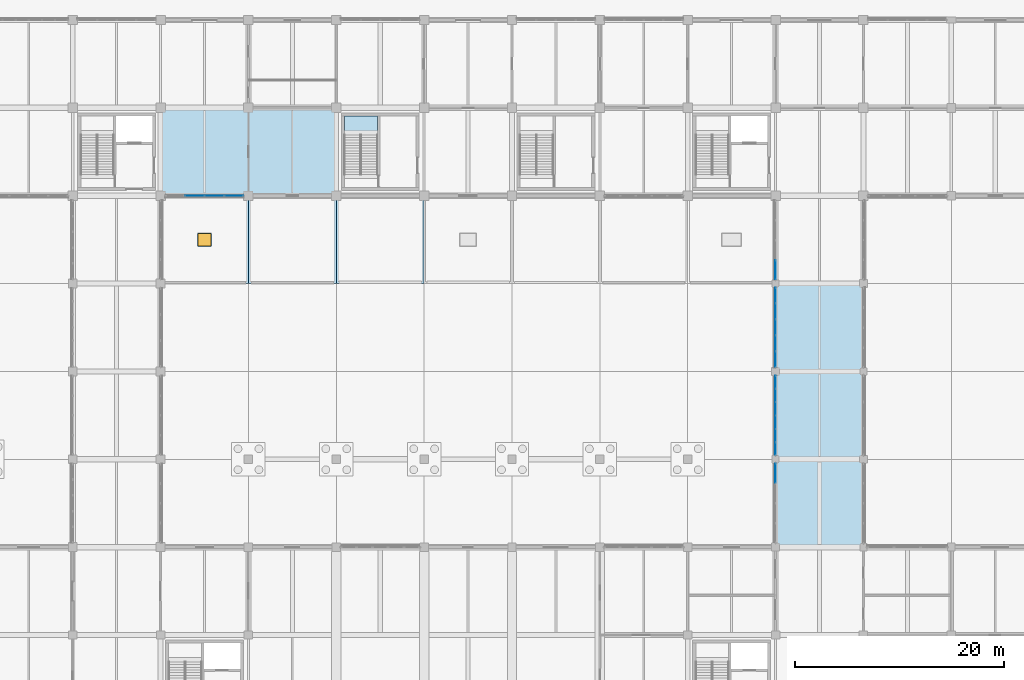
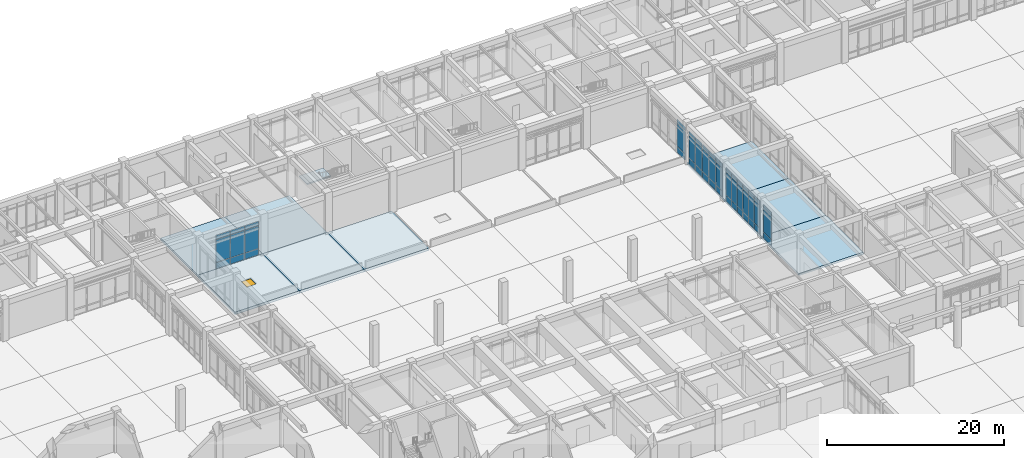
# One storey, part 57 of 91: 48 plates, 9 slabs, 1 window, 1 opening, 6 elements without a shape of their own.
"""IFC4 building model written with IfcOpenShell, lengths in metres."""

from ifc_helpers import new_model, si_unit, direction, frame, origin, origin_2d, place, context, subcontext, project, spatial, polyline, rectangle, outline, extrude, material, layer, layer_set, type_object, element, fill, aggregate, save


model = new_model("IFC4")

# Units and contexts
model_context = context("Model", 3, precision=1e-05, world=origin(), true_north=direction((0.0, 1.0)))
body_context = subcontext(model_context, "Body", "Model", "MODEL_VIEW")
ifc_project = project(units=[si_unit("LENGTHUNIT", "METRE"), si_unit("AREAUNIT", "SQUARE_METRE"), si_unit("VOLUMEUNIT", "CUBIC_METRE"), si_unit("PLANEANGLEUNIT", "RADIAN"), si_unit("MASSUNIT", "GRAM", prefix="KILO")], contexts=[model_context])

# Site, building, storey
site_placement = place(None, origin())
site = spatial("IfcSite", under=ifc_project, at=site_placement, CompositionType="ELEMENT")
building_placement = place(site_placement, origin())
building = spatial("IfcBuilding", under=site, at=building_placement, Name="Porcellanite Civic Hall", CompositionType="ELEMENT")
storey_placement = place(building_placement, origin())
storey = spatial("IfcBuildingStorey", under=building, at=storey_placement, Name="L00", CompositionType="ELEMENT", Elevation=0.0)

# Curtain wall, plates
ifc_material_1 = material(Name="Anodised aluminium and solar laminated glass", Category="aluminium")
ifc_layer_1 = layer(ifc_material_1, 0.179931640625)
ifc_layer_set_1 = layer_set([ifc_layer_1], Name="Anodised aluminium and solar laminated glass")
curtain_wall_type_1 = type_object("IfcCurtainWallType", Name="CW-SYS01", PredefinedType="NOTDEFINED", material=ifc_layer_set_1)
curtain_wall_1_placement = place(storey_placement, origin())
curtain_wall_1 = element("IfcCurtainWall", 1, at=curtain_wall_1_placement, inside=storey, type_object=curtain_wall_type_1, Name="Curtain wall CW-041", PredefinedType="NOTDEFINED")
ifc_material_2 = material(Name="Cyclone laminated solar-control low-E glass", Category="glass")
ifc_layer_2 = layer(ifc_material_2, 0.02587890625)
ifc_layer_set_2 = layer_set([ifc_layer_2], Name="Cyclone laminated solar-control low-E glass")
plate_type_1 = type_object("IfcPlateType", Name="CWP-02", PredefinedType="CURTAIN_PANEL", material=ifc_layer_set_2)
plate_1_placement = place(storey_placement, frame((117.60009765625, 85.160888671875, 0.06005859375), z_axis=(0.0, 0.0, 1.0), x_axis=(0.0, 1.0, 0.0)))
plate_1 = element("IfcPlate", 2, at=plate_1_placement, type_object=plate_type_1, Name="CW-041 panel 1.1", PredefinedType="CURTAIN_PANEL", context=body_context, shape_type="SweptSolid", body=[
    extrude(rectangle(XDim=1.4296875, YDim=0.02587890625, at=origin_2d()), origin(), (0.0, 0.0, 1.0), 0.81005859375),
])
plate_2_placement = place(storey_placement, frame((117.60009765625, 85.160888671875, 0.93017578125), z_axis=(0.0, 0.0, 1.0), x_axis=(0.0, 1.0, 0.0)))
plate_2 = element("IfcPlate", 3, at=plate_2_placement, type_object=plate_type_1, Name="CW-041 panel 1.2", PredefinedType="CURTAIN_PANEL", context=body_context, shape_type="SweptSolid", body=[
    extrude(rectangle(XDim=1.4296875, YDim=0.02587890625, at=origin_2d()), origin(), (0.0, 0.0, 1.0), 3.090087890625),
])
plate_3_placement = place(storey_placement, frame((117.60009765625, 85.160888671875, 4.080078125), z_axis=(0.0, 0.0, 1.0), x_axis=(0.0, 1.0, 0.0)))
plate_3 = element("IfcPlate", 4, at=plate_3_placement, type_object=plate_type_1, Name="CW-041 panel 1.3", PredefinedType="CURTAIN_PANEL", context=body_context, shape_type="SweptSolid", body=[
    extrude(rectangle(XDim=1.4296875, YDim=0.02587890625, at=origin_2d()), origin(), (0.0, 0.0, 1.0), 0.56005859375),
])
plate_4_placement = place(storey_placement, frame((117.60009765625, 86.677978515625, 0.06005859375), z_axis=(0.0, 0.0, 1.0), x_axis=(0.0, 1.0, 0.0)))
plate_4 = element("IfcPlate", 5, at=plate_4_placement, type_object=plate_type_1, Name="CW-041 panel 2.1", PredefinedType="CURTAIN_PANEL", context=body_context, shape_type="SweptSolid", body=[
    extrude(rectangle(XDim=1.464599609375, YDim=0.02587890625, at=origin_2d()), origin(), (0.0, 0.0, 1.0), 0.81005859375),
])
plate_5_placement = place(storey_placement, frame((117.60009765625, 86.677978515625, 0.93017578125), z_axis=(0.0, 0.0, 1.0), x_axis=(0.0, 1.0, 0.0)))
plate_5 = element("IfcPlate", 6, at=plate_5_placement, type_object=plate_type_1, Name="CW-041 panel 2.2", PredefinedType="CURTAIN_PANEL", context=body_context, shape_type="SweptSolid", body=[
    extrude(rectangle(XDim=1.464599609375, YDim=0.02587890625, at=origin_2d()), origin(), (0.0, 0.0, 1.0), 3.090087890625),
])
plate_6_placement = place(storey_placement, frame((117.60009765625, 86.677978515625, 4.080078125), z_axis=(0.0, 0.0, 1.0), x_axis=(0.0, 1.0, 0.0)))
plate_6 = element("IfcPlate", 7, at=plate_6_placement, type_object=plate_type_1, Name="CW-041 panel 2.3", PredefinedType="CURTAIN_PANEL", context=body_context, shape_type="SweptSolid", body=[
    extrude(rectangle(XDim=1.464599609375, YDim=0.02587890625, at=origin_2d()), origin(), (0.0, 0.0, 1.0), 0.56005859375),
])
plate_7_placement = place(storey_placement, frame((117.60009765625, 88.21240234375, 0.06005859375), z_axis=(0.0, 0.0, 1.0), x_axis=(0.0, 1.0, 0.0)))
plate_7 = element("IfcPlate", 8, at=plate_7_placement, type_object=plate_type_1, Name="CW-041 panel 3.1", PredefinedType="CURTAIN_PANEL", context=body_context, shape_type="SweptSolid", body=[
    extrude(rectangle(XDim=1.464599609375, YDim=0.02587890625, at=origin_2d()), origin(), (0.0, 0.0, 1.0), 0.81005859375),
])
plate_8_placement = place(storey_placement, frame((117.60009765625, 88.21240234375, 0.93017578125), z_axis=(0.0, 0.0, 1.0), x_axis=(0.0, 1.0, 0.0)))
plate_8 = element("IfcPlate", 9, at=plate_8_placement, type_object=plate_type_1, Name="CW-041 panel 3.2", PredefinedType="CURTAIN_PANEL", context=body_context, shape_type="SweptSolid", body=[
    extrude(rectangle(XDim=1.464599609375, YDim=0.02587890625, at=origin_2d()), origin(), (0.0, 0.0, 1.0), 3.090087890625),
])
plate_9_placement = place(storey_placement, frame((117.60009765625, 88.21240234375, 4.080078125), z_axis=(0.0, 0.0, 1.0), x_axis=(0.0, 1.0, 0.0)))
plate_9 = element("IfcPlate", 10, at=plate_9_placement, type_object=plate_type_1, Name="CW-041 panel 3.3", PredefinedType="CURTAIN_PANEL", context=body_context, shape_type="SweptSolid", body=[
    extrude(rectangle(XDim=1.464599609375, YDim=0.02587890625, at=origin_2d()), origin(), (0.0, 0.0, 1.0), 0.56005859375),
])
plate_10_placement = place(storey_placement, frame((117.60009765625, 89.7470703125, 0.06005859375), z_axis=(0.0, 0.0, 1.0), x_axis=(0.0, 1.0, 0.0)))
plate_10 = element("IfcPlate", 11, at=plate_10_placement, type_object=plate_type_1, Name="CW-041 panel 4.1", PredefinedType="CURTAIN_PANEL", context=body_context, shape_type="SweptSolid", body=[
    extrude(rectangle(XDim=1.464599609375, YDim=0.02587890625, at=origin_2d()), origin(), (0.0, 0.0, 1.0), 0.81005859375),
])
plate_11_placement = place(storey_placement, frame((117.60009765625, 89.7470703125, 0.93017578125), z_axis=(0.0, 0.0, 1.0), x_axis=(0.0, 1.0, 0.0)))
plate_11 = element("IfcPlate", 12, at=plate_11_placement, type_object=plate_type_1, Name="CW-041 panel 4.2", PredefinedType="CURTAIN_PANEL", context=body_context, shape_type="SweptSolid", body=[
    extrude(rectangle(XDim=1.464599609375, YDim=0.02587890625, at=origin_2d()), origin(), (0.0, 0.0, 1.0), 3.090087890625),
])
plate_12_placement = place(storey_placement, frame((117.60009765625, 89.7470703125, 4.080078125), z_axis=(0.0, 0.0, 1.0), x_axis=(0.0, 1.0, 0.0)))
plate_12 = element("IfcPlate", 13, at=plate_12_placement, type_object=plate_type_1, Name="CW-041 panel 4.3", PredefinedType="CURTAIN_PANEL", context=body_context, shape_type="SweptSolid", body=[
    extrude(rectangle(XDim=1.464599609375, YDim=0.02587890625, at=origin_2d()), origin(), (0.0, 0.0, 1.0), 0.56005859375),
])
plate_13_placement = place(storey_placement, frame((117.60009765625, 91.26416015625, 0.06005859375), z_axis=(0.0, 0.0, 1.0), x_axis=(0.0, 1.0, 0.0)))
plate_13 = element("IfcPlate", 14, at=plate_13_placement, type_object=plate_type_1, Name="CW-041 panel 5.1", PredefinedType="CURTAIN_PANEL", context=body_context, shape_type="SweptSolid", body=[
    extrude(rectangle(XDim=1.4296875, YDim=0.02587890625, at=origin_2d()), origin(), (0.0, 0.0, 1.0), 0.81005859375),
])
plate_14_placement = place(storey_placement, frame((117.60009765625, 91.26416015625, 0.93017578125), z_axis=(0.0, 0.0, 1.0), x_axis=(0.0, 1.0, 0.0)))
plate_14 = element("IfcPlate", 15, at=plate_14_placement, type_object=plate_type_1, Name="CW-041 panel 5.2", PredefinedType="CURTAIN_PANEL", context=body_context, shape_type="SweptSolid", body=[
    extrude(rectangle(XDim=1.4296875, YDim=0.02587890625, at=origin_2d()), origin(), (0.0, 0.0, 1.0), 3.090087890625),
])
plate_15_placement = place(storey_placement, frame((117.60009765625, 91.26416015625, 4.080078125), z_axis=(0.0, 0.0, 1.0), x_axis=(0.0, 1.0, 0.0)))
plate_15 = element("IfcPlate", 16, at=plate_15_placement, type_object=plate_type_1, Name="CW-041 panel 5.3", PredefinedType="CURTAIN_PANEL", context=body_context, shape_type="SweptSolid", body=[
    extrude(rectangle(XDim=1.4296875, YDim=0.02587890625, at=origin_2d()), origin(), (0.0, 0.0, 1.0), 0.56005859375),
])
aggregate(curtain_wall_1, [plate_1, plate_2, plate_3, plate_4, plate_5, plate_6, plate_7, plate_8, plate_9, plate_10, plate_11, plate_12, plate_13, plate_14, plate_15])

ifc_material_3 = material(Name="Anodised aluminium and solar laminated glass", Category="aluminium")
ifc_layer_3 = layer(ifc_material_3, 0.179931640625)
ifc_layer_set_3 = layer_set([ifc_layer_3], Name="Anodised aluminium and solar laminated glass")
curtain_wall_type_2 = type_object("IfcCurtainWallType", Name="CW-SYS04", PredefinedType="NOTDEFINED", material=ifc_layer_set_3)
curtain_wall_2_placement = place(storey_placement, origin())
curtain_wall_2 = element("IfcCurtainWall", 17, at=curtain_wall_2_placement, inside=storey, type_object=curtain_wall_type_2, Name="Curtain wall CW-043", PredefinedType="NOTDEFINED")
ifc_material_4 = material(Name="Cyclone laminated solar-control low-E glass", Category="glass")
ifc_layer_4 = layer(ifc_material_4, 0.030029296875)
ifc_layer_set_4 = layer_set([ifc_layer_4], Name="Cyclone laminated solar-control low-E glass")
plate_type_2 = type_object("IfcPlateType", Name="CWP-04", PredefinedType="CURTAIN_PANEL", material=ifc_layer_set_4)
plate_16_placement = place(storey_placement, frame((117.60009765625, 93.719482421875, 0.05517578125), z_axis=(0.0, 0.0, 1.0), x_axis=(0.0, 1.0, 0.0)))
plate_16 = element("IfcPlate", 18, at=plate_16_placement, type_object=plate_type_2, Name="CW-043 panel 1.1", PredefinedType="CURTAIN_PANEL", context=body_context, shape_type="SweptSolid", body=[
    extrude(rectangle(XDim=1.787109375, YDim=0.030029296875, at=origin_2d()), origin(), (0.0, 0.0, 1.0), 0.8173828125),
])
plate_17_placement = place(storey_placement, frame((117.60009765625, 93.719482421875, 0.927734375), z_axis=(0.0, 0.0, 1.0), x_axis=(0.0, 1.0, 0.0)))
plate_17 = element("IfcPlate", 19, at=plate_17_placement, type_object=plate_type_2, Name="CW-043 panel 1.2", PredefinedType="CURTAIN_PANEL", context=body_context, shape_type="SweptSolid", body=[
    extrude(rectangle(XDim=1.787109375, YDim=0.030029296875, at=origin_2d()), origin(), (0.0, 0.0, 1.0), 3.094970703125),
])
plate_18_placement = place(storey_placement, frame((117.60009765625, 93.719482421875, 4.07763671875), z_axis=(0.0, 0.0, 1.0), x_axis=(0.0, 1.0, 0.0)))
plate_18 = element("IfcPlate", 20, at=plate_18_placement, type_object=plate_type_2, Name="CW-043 panel 1.3", PredefinedType="CURTAIN_PANEL", context=body_context, shape_type="SweptSolid", body=[
    extrude(rectangle(XDim=1.787109375, YDim=0.030029296875, at=origin_2d()), origin(), (0.0, 0.0, 1.0), 0.5673828125),
])
aggregate(curtain_wall_2, [plate_16, plate_17, plate_18])

ifc_material_5 = material(Name="Anodised aluminium and solar laminated glass", Category="aluminium")
ifc_layer_5 = layer(ifc_material_5, 0.179931640625)
ifc_layer_set_5 = layer_set([ifc_layer_5], Name="Anodised aluminium and solar laminated glass")
curtain_wall_type_3 = type_object("IfcCurtainWallType", Name="CW-SYS06", PredefinedType="NOTDEFINED", material=ifc_layer_set_5)
curtain_wall_3_placement = place(storey_placement, origin())
curtain_wall_3 = element("IfcCurtainWall", 21, at=curtain_wall_3_placement, inside=storey, type_object=curtain_wall_type_3, Name="Curtain wall CW-026", PredefinedType="NOTDEFINED")
ifc_material_6 = material(Name="Cyclone laminated solar-control low-E glass", Category="glass")
ifc_layer_6 = layer(ifc_material_6, 0.035888671875)
ifc_layer_set_6 = layer_set([ifc_layer_6], Name="Cyclone laminated solar-control low-E glass")
plate_type_3 = type_object("IfcPlateType", Name="CWP-07", PredefinedType="CURTAIN_PANEL", material=ifc_layer_set_6)
plate_19_placement = place(storey_placement, frame((65.79541015625, 100.800048828125, 0.0498046875), z_axis=(0.0, 0.0, 1.0), x_axis=(-1.0, 0.0, 0.0)))
plate_19 = element("IfcPlate", 22, at=plate_19_placement, type_object=plate_type_3, Name="CW-026 panel 1.1", PredefinedType="CURTAIN_PANEL", context=body_context, shape_type="SweptSolid", body=[
    extrude(rectangle(XDim=1.777099609375, YDim=0.035888671875, at=origin_2d()), origin(), (0.0, 0.0, 1.0), 0.824951171875),
])
plate_20_placement = place(storey_placement, frame((65.79541015625, 100.800048828125, 0.925048828125), z_axis=(0.0, 0.0, 1.0), x_axis=(-1.0, 0.0, 0.0)))
plate_20 = element("IfcPlate", 23, at=plate_20_placement, type_object=plate_type_3, Name="CW-026 panel 1.2", PredefinedType="CURTAIN_PANEL", context=body_context, shape_type="SweptSolid", body=[
    extrude(rectangle(XDim=1.777099609375, YDim=0.035888671875, at=origin_2d()), origin(), (0.0, 0.0, 1.0), 3.10009765625),
])
plate_21_placement = place(storey_placement, frame((65.79541015625, 100.800048828125, 4.0751953125), z_axis=(0.0, 0.0, 1.0), x_axis=(-1.0, 0.0, 0.0)))
plate_21 = element("IfcPlate", 24, at=plate_21_placement, type_object=plate_type_3, Name="CW-026 panel 1.3", PredefinedType="CURTAIN_PANEL", context=body_context, shape_type="SweptSolid", body=[
    extrude(rectangle(XDim=1.777099609375, YDim=0.035888671875, at=origin_2d()), origin(), (0.0, 0.0, 1.0), 0.574951171875),
])
plate_22_placement = place(storey_placement, frame((63.937255859375, 100.800048828125, 0.0498046875), z_axis=(0.0, 0.0, 1.0), x_axis=(-1.0, 0.0, 0.0)))
plate_22 = element("IfcPlate", 25, at=plate_22_placement, type_object=plate_type_3, Name="CW-026 panel 2.1", PredefinedType="CURTAIN_PANEL", context=body_context, shape_type="SweptSolid", body=[
    extrude(rectangle(XDim=1.8095703125, YDim=0.035888671875, at=origin_2d()), origin(), (0.0, 0.0, 1.0), 0.824951171875),
])
plate_23_placement = place(storey_placement, frame((63.937255859375, 100.800048828125, 0.925048828125), z_axis=(0.0, 0.0, 1.0), x_axis=(-1.0, 0.0, 0.0)))
plate_23 = element("IfcPlate", 26, at=plate_23_placement, type_object=plate_type_3, Name="CW-026 panel 2.2", PredefinedType="CURTAIN_PANEL", context=body_context, shape_type="SweptSolid", body=[
    extrude(rectangle(XDim=1.8095703125, YDim=0.035888671875, at=origin_2d()), origin(), (0.0, 0.0, 1.0), 3.10009765625),
])
plate_24_placement = place(storey_placement, frame((63.937255859375, 100.800048828125, 4.0751953125), z_axis=(0.0, 0.0, 1.0), x_axis=(-1.0, 0.0, 0.0)))
plate_24 = element("IfcPlate", 27, at=plate_24_placement, type_object=plate_type_3, Name="CW-026 panel 2.3", PredefinedType="CURTAIN_PANEL", context=body_context, shape_type="SweptSolid", body=[
    extrude(rectangle(XDim=1.8095703125, YDim=0.035888671875, at=origin_2d()), origin(), (0.0, 0.0, 1.0), 0.574951171875),
])
plate_25_placement = place(storey_placement, frame((62.062744140625, 100.800048828125, 0.0498046875), z_axis=(0.0, 0.0, 1.0), x_axis=(-1.0, 0.0, 0.0)))
plate_25 = element("IfcPlate", 28, at=plate_25_placement, type_object=plate_type_3, Name="CW-026 panel 3.1", PredefinedType="CURTAIN_PANEL", context=body_context, shape_type="SweptSolid", body=[
    extrude(rectangle(XDim=1.8095703125, YDim=0.035888671875, at=origin_2d()), origin(), (0.0, 0.0, 1.0), 0.824951171875),
])
plate_26_placement = place(storey_placement, frame((62.062744140625, 100.800048828125, 0.925048828125), z_axis=(0.0, 0.0, 1.0), x_axis=(-1.0, 0.0, 0.0)))
plate_26 = element("IfcPlate", 29, at=plate_26_placement, type_object=plate_type_3, Name="CW-026 panel 3.2", PredefinedType="CURTAIN_PANEL", context=body_context, shape_type="SweptSolid", body=[
    extrude(rectangle(XDim=1.8095703125, YDim=0.035888671875, at=origin_2d()), origin(), (0.0, 0.0, 1.0), 3.10009765625),
])
plate_27_placement = place(storey_placement, frame((62.062744140625, 100.800048828125, 4.0751953125), z_axis=(0.0, 0.0, 1.0), x_axis=(-1.0, 0.0, 0.0)))
plate_27 = element("IfcPlate", 30, at=plate_27_placement, type_object=plate_type_3, Name="CW-026 panel 3.3", PredefinedType="CURTAIN_PANEL", context=body_context, shape_type="SweptSolid", body=[
    extrude(rectangle(XDim=1.8095703125, YDim=0.035888671875, at=origin_2d()), origin(), (0.0, 0.0, 1.0), 0.574951171875),
])
aggregate(curtain_wall_3, [plate_19, plate_20, plate_21, plate_22, plate_23, plate_24, plate_25, plate_26, plate_27])

curtain_wall_4_placement = place(storey_placement, origin())
curtain_wall_4 = element("IfcCurtainWall", 31, at=curtain_wall_4_placement, inside=storey, type_object=curtain_wall_type_2, Name="Curtain wall CW-037", PredefinedType="NOTDEFINED")
ifc_material_7 = material(Name="Insulated ochre aluminium spandrel panel", Category="aluminium")
ifc_layer_7 = layer(ifc_material_7, 0.0380859375)
ifc_layer_set_7 = layer_set([ifc_layer_7], Name="Insulated ochre aluminium spandrel panel")
plate_type_4 = type_object("IfcPlateType", Name="CWP-08", PredefinedType="CURTAIN_PANEL", material=ifc_layer_set_7)
plate_28_placement = place(storey_placement, frame((117.60009765625, 74.271240234375, 0.05517578125), z_axis=(0.0, 0.0, 1.0), x_axis=(0.0, 1.0, 0.0)))
plate_28 = element("IfcPlate", 32, at=plate_28_placement, type_object=plate_type_4, Name="CW-037 panel 4.1", PredefinedType="CURTAIN_PANEL", context=body_context, shape_type="SweptSolid", body=[
    extrude(rectangle(XDim=1.8056640625, YDim=0.0380859375, at=origin_2d()), origin(), (0.0, 0.0, 1.0), 0.8173828125),
])
plate_29_placement = place(storey_placement, frame((117.60009765625, 74.271240234375, 0.927734375), z_axis=(0.0, 0.0, 1.0), x_axis=(0.0, 1.0, 0.0)))
plate_29 = element("IfcPlate", 33, at=plate_29_placement, type_object=plate_type_4, Name="CW-037 panel 4.2", PredefinedType="CURTAIN_PANEL", context=body_context, shape_type="SweptSolid", body=[
    extrude(rectangle(XDim=1.8056640625, YDim=0.0380859375, at=origin_2d()), origin(), (0.0, 0.0, 1.0), 3.094970703125),
])
plate_30_placement = place(storey_placement, frame((117.60009765625, 74.271240234375, 4.07763671875), z_axis=(0.0, 0.0, 1.0), x_axis=(0.0, 1.0, 0.0)))
plate_30 = element("IfcPlate", 34, at=plate_30_placement, type_object=plate_type_4, Name="CW-037 panel 4.3", PredefinedType="CURTAIN_PANEL", context=body_context, shape_type="SweptSolid", body=[
    extrude(rectangle(XDim=1.8056640625, YDim=0.0380859375, at=origin_2d()), origin(), (0.0, 0.0, 1.0), 0.5673828125),
])
aggregate(curtain_wall_4, [plate_28, plate_29, plate_30])

ifc_material_8 = material(Name="Anodised aluminium and solar laminated glass", Category="aluminium")
ifc_layer_8 = layer(ifc_material_8, 0.179931640625)
ifc_layer_set_8 = layer_set([ifc_layer_8], Name="Anodised aluminium and solar laminated glass")
curtain_wall_type_4 = type_object("IfcCurtainWallType", Name="CW-SYS07", PredefinedType="NOTDEFINED", material=ifc_layer_set_8)
curtain_wall_5_placement = place(storey_placement, origin())
curtain_wall_5 = element("IfcCurtainWall", 35, at=curtain_wall_5_placement, inside=storey, type_object=curtain_wall_type_4, Name="Curtain wall CW-039", PredefinedType="NOTDEFINED")
ifc_material_9 = material(Name="Insulated ochre aluminium spandrel panel", Category="aluminium")
ifc_layer_9 = layer(ifc_material_9, 0.0458984375)
ifc_layer_set_9 = layer_set([ifc_layer_9], Name="Insulated ochre aluminium spandrel panel")
plate_type_5 = type_object("IfcPlateType", Name="CWP-10", PredefinedType="CURTAIN_PANEL", material=ifc_layer_set_9)
plate_31_placement = place(storey_placement, frame((117.60009765625, 76.60546875, 0.0498046875), z_axis=(0.0, 0.0, 1.0), x_axis=(0.0, 1.0, 0.0)))
plate_31 = element("IfcPlate", 36, at=plate_31_placement, type_object=plate_type_5, Name="CW-039 panel 1.1", PredefinedType="CURTAIN_PANEL", context=body_context, shape_type="SweptSolid", body=[
    extrude(rectangle(XDim=1.188720703125, YDim=0.0458984375, at=origin_2d()), origin(), (0.0, 0.0, 1.0), 0.824951171875),
])
plate_32_placement = place(storey_placement, frame((117.60009765625, 76.60546875, 0.925048828125), z_axis=(0.0, 0.0, 1.0), x_axis=(0.0, 1.0, 0.0)))
plate_32 = element("IfcPlate", 37, at=plate_32_placement, type_object=plate_type_5, Name="CW-039 panel 1.2", PredefinedType="CURTAIN_PANEL", context=body_context, shape_type="SweptSolid", body=[
    extrude(rectangle(XDim=1.188720703125, YDim=0.0458984375, at=origin_2d()), origin(), (0.0, 0.0, 1.0), 3.10009765625),
])
plate_33_placement = place(storey_placement, frame((117.60009765625, 76.60546875, 4.0751953125), z_axis=(0.0, 0.0, 1.0), x_axis=(0.0, 1.0, 0.0)))
plate_33 = element("IfcPlate", 38, at=plate_33_placement, type_object=plate_type_5, Name="CW-039 panel 1.3", PredefinedType="CURTAIN_PANEL", context=body_context, shape_type="SweptSolid", body=[
    extrude(rectangle(XDim=1.188720703125, YDim=0.0458984375, at=origin_2d()), origin(), (0.0, 0.0, 1.0), 0.574951171875),
])
plate_34_placement = place(storey_placement, frame((117.60009765625, 77.869140625, 0.0498046875), z_axis=(0.0, 0.0, 1.0), x_axis=(0.0, 1.0, 0.0)))
plate_34 = element("IfcPlate", 39, at=plate_34_placement, type_object=plate_type_5, Name="CW-039 panel 2.1", PredefinedType="CURTAIN_PANEL", context=body_context, shape_type="SweptSolid", body=[
    extrude(rectangle(XDim=1.21875, YDim=0.0458984375, at=origin_2d()), origin(), (0.0, 0.0, 1.0), 0.824951171875),
])
plate_35_placement = place(storey_placement, frame((117.60009765625, 77.869140625, 0.925048828125), z_axis=(0.0, 0.0, 1.0), x_axis=(0.0, 1.0, 0.0)))
plate_35 = element("IfcPlate", 40, at=plate_35_placement, type_object=plate_type_5, Name="CW-039 panel 2.2", PredefinedType="CURTAIN_PANEL", context=body_context, shape_type="SweptSolid", body=[
    extrude(rectangle(XDim=1.21875, YDim=0.0458984375, at=origin_2d()), origin(), (0.0, 0.0, 1.0), 3.10009765625),
])
plate_36_placement = place(storey_placement, frame((117.60009765625, 77.869140625, 4.0751953125), z_axis=(0.0, 0.0, 1.0), x_axis=(0.0, 1.0, 0.0)))
plate_36 = element("IfcPlate", 41, at=plate_36_placement, type_object=plate_type_5, Name="CW-039 panel 2.3", PredefinedType="CURTAIN_PANEL", context=body_context, shape_type="SweptSolid", body=[
    extrude(rectangle(XDim=1.21875, YDim=0.0458984375, at=origin_2d()), origin(), (0.0, 0.0, 1.0), 0.574951171875),
])
plate_37_placement = place(storey_placement, frame((117.60009765625, 79.148193359375, 0.0498046875), z_axis=(0.0, 0.0, 1.0), x_axis=(0.0, 1.0, 0.0)))
plate_37 = element("IfcPlate", 42, at=plate_37_placement, type_object=plate_type_5, Name="CW-039 panel 3.1", PredefinedType="CURTAIN_PANEL", context=body_context, shape_type="SweptSolid", body=[
    extrude(rectangle(XDim=1.21875, YDim=0.0458984375, at=origin_2d()), origin(), (0.0, 0.0, 1.0), 0.824951171875),
])
plate_38_placement = place(storey_placement, frame((117.60009765625, 79.148193359375, 0.925048828125), z_axis=(0.0, 0.0, 1.0), x_axis=(0.0, 1.0, 0.0)))
plate_38 = element("IfcPlate", 43, at=plate_38_placement, type_object=plate_type_5, Name="CW-039 panel 3.2", PredefinedType="CURTAIN_PANEL", context=body_context, shape_type="SweptSolid", body=[
    extrude(rectangle(XDim=1.21875, YDim=0.0458984375, at=origin_2d()), origin(), (0.0, 0.0, 1.0), 3.10009765625),
])
plate_39_placement = place(storey_placement, frame((117.60009765625, 79.148193359375, 4.0751953125), z_axis=(0.0, 0.0, 1.0), x_axis=(0.0, 1.0, 0.0)))
plate_39 = element("IfcPlate", 44, at=plate_39_placement, type_object=plate_type_5, Name="CW-039 panel 3.3", PredefinedType="CURTAIN_PANEL", context=body_context, shape_type="SweptSolid", body=[
    extrude(rectangle(XDim=1.21875, YDim=0.0458984375, at=origin_2d()), origin(), (0.0, 0.0, 1.0), 0.574951171875),
])
plate_40_placement = place(storey_placement, frame((117.60009765625, 80.427001953125, 0.0498046875), z_axis=(0.0, 0.0, 1.0), x_axis=(0.0, 1.0, 0.0)))
plate_40 = element("IfcPlate", 45, at=plate_40_placement, type_object=plate_type_5, Name="CW-039 panel 4.1", PredefinedType="CURTAIN_PANEL", context=body_context, shape_type="SweptSolid", body=[
    extrude(rectangle(XDim=1.21875, YDim=0.0458984375, at=origin_2d()), origin(), (0.0, 0.0, 1.0), 0.824951171875),
])
plate_41_placement = place(storey_placement, frame((117.60009765625, 80.427001953125, 0.925048828125), z_axis=(0.0, 0.0, 1.0), x_axis=(0.0, 1.0, 0.0)))
plate_41 = element("IfcPlate", 46, at=plate_41_placement, type_object=plate_type_5, Name="CW-039 panel 4.2", PredefinedType="CURTAIN_PANEL", context=body_context, shape_type="SweptSolid", body=[
    extrude(rectangle(XDim=1.21875, YDim=0.0458984375, at=origin_2d()), origin(), (0.0, 0.0, 1.0), 3.10009765625),
])
plate_42_placement = place(storey_placement, frame((117.60009765625, 80.427001953125, 4.0751953125), z_axis=(0.0, 0.0, 1.0), x_axis=(0.0, 1.0, 0.0)))
plate_42 = element("IfcPlate", 47, at=plate_42_placement, type_object=plate_type_5, Name="CW-039 panel 4.3", PredefinedType="CURTAIN_PANEL", context=body_context, shape_type="SweptSolid", body=[
    extrude(rectangle(XDim=1.21875, YDim=0.0458984375, at=origin_2d()), origin(), (0.0, 0.0, 1.0), 0.574951171875),
])
plate_43_placement = place(storey_placement, frame((117.60009765625, 81.705810546875, 0.0498046875), z_axis=(0.0, 0.0, 1.0), x_axis=(0.0, 1.0, 0.0)))
plate_43 = element("IfcPlate", 48, at=plate_43_placement, type_object=plate_type_5, Name="CW-039 panel 5.1", PredefinedType="CURTAIN_PANEL", context=body_context, shape_type="SweptSolid", body=[
    extrude(rectangle(XDim=1.21875, YDim=0.0458984375, at=origin_2d()), origin(), (0.0, 0.0, 1.0), 0.824951171875),
])
plate_44_placement = place(storey_placement, frame((117.60009765625, 81.705810546875, 0.925048828125), z_axis=(0.0, 0.0, 1.0), x_axis=(0.0, 1.0, 0.0)))
plate_44 = element("IfcPlate", 49, at=plate_44_placement, type_object=plate_type_5, Name="CW-039 panel 5.2", PredefinedType="CURTAIN_PANEL", context=body_context, shape_type="SweptSolid", body=[
    extrude(rectangle(XDim=1.21875, YDim=0.0458984375, at=origin_2d()), origin(), (0.0, 0.0, 1.0), 3.10009765625),
])
plate_45_placement = place(storey_placement, frame((117.60009765625, 81.705810546875, 4.0751953125), z_axis=(0.0, 0.0, 1.0), x_axis=(0.0, 1.0, 0.0)))
plate_45 = element("IfcPlate", 50, at=plate_45_placement, type_object=plate_type_5, Name="CW-039 panel 5.3", PredefinedType="CURTAIN_PANEL", context=body_context, shape_type="SweptSolid", body=[
    extrude(rectangle(XDim=1.21875, YDim=0.0458984375, at=origin_2d()), origin(), (0.0, 0.0, 1.0), 0.574951171875),
])
plate_46_placement = place(storey_placement, frame((117.60009765625, 82.969482421875, 0.0498046875), z_axis=(0.0, 0.0, 1.0), x_axis=(0.0, 1.0, 0.0)))
plate_46 = element("IfcPlate", 51, at=plate_46_placement, type_object=plate_type_5, Name="CW-039 panel 6.1", PredefinedType="CURTAIN_PANEL", context=body_context, shape_type="SweptSolid", body=[
    extrude(rectangle(XDim=1.188720703125, YDim=0.0458984375, at=origin_2d()), origin(), (0.0, 0.0, 1.0), 0.824951171875),
])
plate_47_placement = place(storey_placement, frame((117.60009765625, 82.969482421875, 0.925048828125), z_axis=(0.0, 0.0, 1.0), x_axis=(0.0, 1.0, 0.0)))
plate_47 = element("IfcPlate", 52, at=plate_47_placement, type_object=plate_type_5, Name="CW-039 panel 6.2", PredefinedType="CURTAIN_PANEL", context=body_context, shape_type="SweptSolid", body=[
    extrude(rectangle(XDim=1.188720703125, YDim=0.0458984375, at=origin_2d()), origin(), (0.0, 0.0, 1.0), 3.10009765625),
])
plate_48_placement = place(storey_placement, frame((117.60009765625, 82.969482421875, 4.0751953125), z_axis=(0.0, 0.0, 1.0), x_axis=(0.0, 1.0, 0.0)))
plate_48 = element("IfcPlate", 53, at=plate_48_placement, type_object=plate_type_5, Name="CW-039 panel 6.3", PredefinedType="CURTAIN_PANEL", context=body_context, shape_type="SweptSolid", body=[
    extrude(rectangle(XDim=1.188720703125, YDim=0.0458984375, at=origin_2d()), origin(), (0.0, 0.0, 1.0), 0.574951171875),
])
aggregate(curtain_wall_5, [plate_31, plate_32, plate_33, plate_34, plate_35, plate_36, plate_37, plate_38, plate_39, plate_40, plate_41, plate_42, plate_43, plate_44, plate_45, plate_46, plate_47, plate_48])

# Stair, slab
ifc_material_10 = material(Name="Concrete N40 (40 MPa)", Category="concrete")
stair_type = type_object("IfcStairType", Name="STR-HT32", PredefinedType="HALF_TURN_STAIR", material=ifc_material_10)
stair_placement = place(storey_placement, origin())
stair = element("IfcStair", 54, at=stair_placement, inside=storey, type_object=stair_type, Name="Fire stair ST-09 L00", PredefinedType="HALF_TURN_STAIR")
ifc_material_11 = material(Name="Concrete N40 (40 MPa)", Category="concrete")
ifc_layer_10 = layer(ifc_material_11, 0.179931640625)
ifc_layer_set_10 = layer_set([ifc_layer_10], Name="Concrete N40 (40 MPa)")
slab_type_1 = type_object("IfcSlabType", Name="LND-18", PredefinedType="LANDING", material=ifc_layer_set_10)
slab_1_placement = place(storey_placement, frame((0.0, 0.0, 2.699951171875)))
slab_1 = element("IfcSlab", 55, at=slab_1_placement, type_object=slab_type_1, Name="ST-09 landing 1", PredefinedType="LANDING", context=body_context, shape_type="SweptSolid", body=[
    extrude(outline(polyline([(76.380615234375, 106.625), (79.51953125, 106.625), (79.51953125, 108.41943359375), (76.380615234375, 108.41943359375), (76.380615234375, 106.625)])), origin(), (0.0, 0.0, 1.0), 0.179931640625),
])
aggregate(stair, [slab_1])

# Slab, opening, window
ifc_material_12 = material(Name="Concrete N40 (40 MPa)", Category="concrete")
ifc_layer_11 = layer(ifc_material_12, 0.35009765625)
ifc_layer_set_11 = layer_set([ifc_layer_11], Name="Concrete N40 (40 MPa)")
slab_type_2 = type_object("IfcSlabType", Name="SL-RF350", PredefinedType="ROOF", material=ifc_layer_set_11)
slab_2_placement = place(storey_placement, frame((0.0, 0.0, -0.35009765625)))
slab_2 = element("IfcSlab", 56, at=slab_2_placement, inside=storey, type_object=slab_type_2, Name="Roof slab L00 8-12", PredefinedType="ROOF", context=body_context, shape_type="SweptSolid", body=[
    extrude(outline(polyline([(58.800048828125, 92.39990234375), (67.199951171875, 92.39990234375), (67.199951171875, 100.800048828125), (58.800048828125, 100.800048828125), (58.800048828125, 92.39990234375)])), origin(), (0.0, 0.0, 1.0), 0.35009765625),
])
opening_placement = place(slab_2_placement, frame((63.0, 96.60009765625, 0.0)))
opening = element("IfcOpeningElement", 57, at=opening_placement, cuts=slab_2, Name="Opening SK1", PredefinedType="OPENING", context=body_context, shape_type="SweptSolid", body=[
    extrude(rectangle(XDim=1.199951171875, YDim=1.199951171875, at=origin_2d()), origin(), (0.0, 0.0, 1.0), 0.35009765625),
])
ifc_material_13 = material(Name="Cyclone laminated low-E glazing in anodised aluminium frame", Category="aluminium")
window_type = type_object("IfcWindowType", Name="SK-01", PartitioningType="SINGLE_PANEL", PredefinedType="SKYLIGHT", material=ifc_material_13)
window_placement = place(opening_placement, frame((0.0, 0.0, 0.300048828125)))
window = element("IfcWindow", 58, at=window_placement, inside=storey, type_object=window_type, Name="Roof skylight SK1 L00 8-12", OverallHeight=1.199951171875, OverallWidth=1.199951171875, PartitioningType="SINGLE_PANEL", PredefinedType="SKYLIGHT", context=body_context, shape_type="SweptSolid", body=[
    extrude(rectangle(XDim=1.199951171875, YDim=1.199951171875, at=origin_2d()), origin(), (0.0, 0.0, 1.0), 0.050048828125),
])
fill(opening, window)

# Slabs
slab_3_placement = place(storey_placement, frame((0.0, 0.0, -0.35009765625)))
element("IfcSlab", 59, at=slab_3_placement, inside=storey, type_object=slab_type_2, Name="Roof slab L00 9-12", PredefinedType="ROOF", context=body_context, shape_type="SweptSolid", body=[
    extrude(outline(polyline([(67.199951171875, 92.39990234375), (75.60009765625, 92.39990234375), (75.60009765625, 100.800048828125), (67.199951171875, 100.800048828125), (67.199951171875, 92.39990234375)])), origin(), (0.0, 0.0, 1.0), 0.35009765625),
])
slab_4_placement = place(storey_placement, frame((0.0, 0.0, -0.35009765625)))
element("IfcSlab", 60, at=slab_4_placement, inside=storey, type_object=slab_type_2, Name="Roof slab L00 10-12", PredefinedType="ROOF", context=body_context, shape_type="SweptSolid", body=[
    extrude(outline(polyline([(75.60009765625, 92.39990234375), (84.0, 92.39990234375), (84.0, 100.800048828125), (75.60009765625, 100.800048828125), (75.60009765625, 92.39990234375)])), origin(), (0.0, 0.0, 1.0), 0.35009765625),
])
ifc_material_14 = material(Name="Concrete N40 (40 MPa)", Category="concrete")
ifc_layer_12 = layer(ifc_material_14, 0.300048828125)
ifc_layer_set_12 = layer_set([ifc_layer_12], Name="Concrete N40 (40 MPa)")
slab_type_3 = type_object("IfcSlabType", Name="SL-TR300", PredefinedType="FLOOR", material=ifc_layer_set_12)
slab_5_placement = place(storey_placement, frame((0.0, 0.0, -0.300048828125)))
element("IfcSlab", 61, at=slab_5_placement, inside=storey, type_object=slab_type_3, Name="Slab L00 bay 8-13", PredefinedType="FLOOR", context=body_context, shape_type="SweptSolid", body=[
    extrude(outline(polyline([(58.800048828125, 100.800048828125), (67.199951171875, 100.800048828125), (67.199951171875, 109.199951171875), (58.800048828125, 109.199951171875), (58.800048828125, 100.800048828125)])), origin(), (0.0, 0.0, 1.0), 0.300048828125),
])
slab_6_placement = place(storey_placement, frame((0.0, 0.0, -0.300048828125)))
element("IfcSlab", 62, at=slab_6_placement, inside=storey, type_object=slab_type_3, Name="Slab L00 bay 9-13", PredefinedType="FLOOR", context=body_context, shape_type="SweptSolid", body=[
    extrude(outline(polyline([(67.199951171875, 100.800048828125), (75.60009765625, 100.800048828125), (75.60009765625, 109.199951171875), (67.199951171875, 109.199951171875), (67.199951171875, 100.800048828125)])), origin(), (0.0, 0.0, 1.0), 0.300048828125),
])
slab_7_placement = place(storey_placement, frame((0.0, 0.0, -0.300048828125)))
element("IfcSlab", 63, at=slab_7_placement, inside=storey, type_object=slab_type_3, Name="Slab L00 bay 15-9", PredefinedType="FLOOR", context=body_context, shape_type="SweptSolid", body=[
    extrude(outline(polyline([(117.60009765625, 67.199951171875), (126.0, 67.199951171875), (126.0, 75.60009765625), (117.60009765625, 75.60009765625), (117.60009765625, 67.199951171875)])), origin(), (0.0, 0.0, 1.0), 0.300048828125),
])
slab_8_placement = place(storey_placement, frame((0.0, 0.0, -0.300048828125)))
element("IfcSlab", 64, at=slab_8_placement, inside=storey, type_object=slab_type_3, Name="Slab L00 bay 15-10", PredefinedType="FLOOR", context=body_context, shape_type="SweptSolid", body=[
    extrude(outline(polyline([(117.60009765625, 75.60009765625), (126.0, 75.60009765625), (126.0, 84.0), (117.60009765625, 84.0), (117.60009765625, 75.60009765625)])), origin(), (0.0, 0.0, 1.0), 0.300048828125),
])
slab_9_placement = place(storey_placement, frame((0.0, 0.0, -0.300048828125)))
element("IfcSlab", 65, at=slab_9_placement, inside=storey, type_object=slab_type_3, Name="Slab L00 bay 15-11", PredefinedType="FLOOR", context=body_context, shape_type="SweptSolid", body=[
    extrude(outline(polyline([(117.60009765625, 84.0), (126.0, 84.0), (126.0, 92.39990234375), (117.60009765625, 92.39990234375), (117.60009765625, 84.0)])), origin(), (0.0, 0.0, 1.0), 0.300048828125),
])

save(model, "model.ifc")
